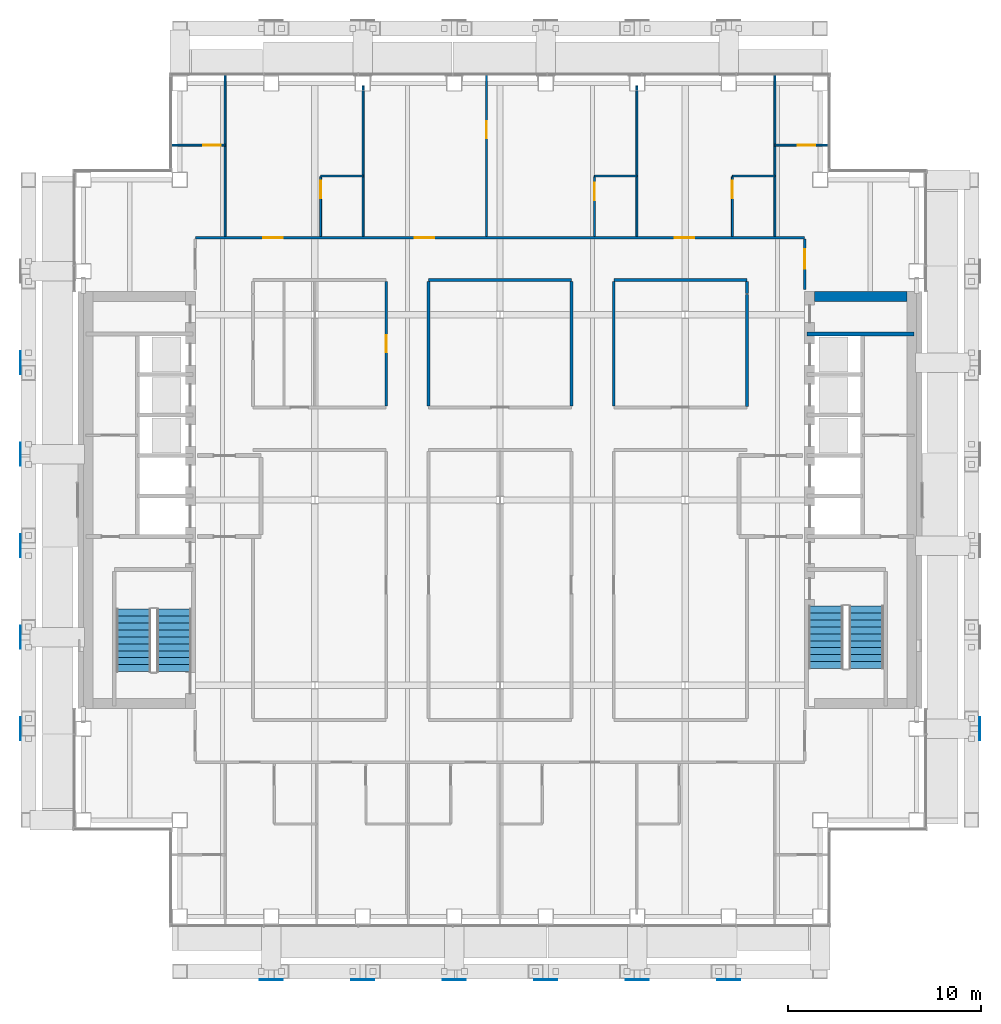
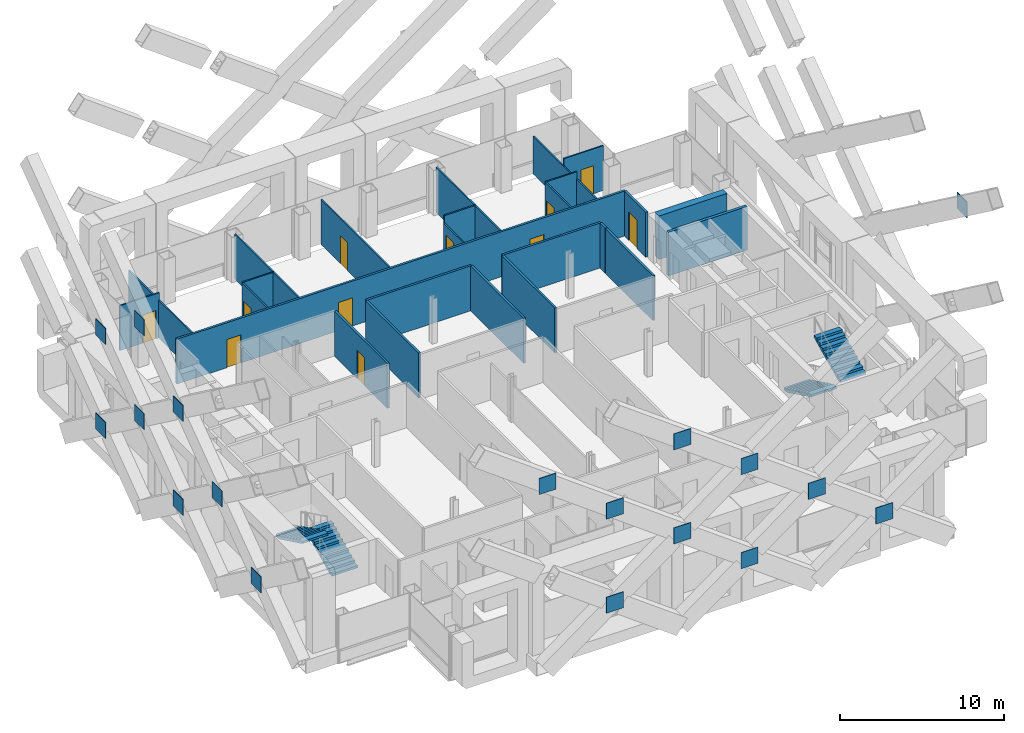
# One storey, part 16 of 25: 25 walls, 18 discrete accessories, 11 doors, 4 stair flights, 11 openings, 2 elements without a shape of their own.
"""IFC4 building model written with IfcOpenShell, lengths in metres."""

from ifc_helpers import new_model, si_unit, direction, frame, frame_2d, origin, origin_2d, place, context, subcontext, project, spatial, polyline, rectangle, outline, extrude, material, layer, layer_set, type_object, element, fill, aggregate, save


model = new_model("IFC4")

# Units and contexts
model_context = context("Model", 3, precision=1e-05, world=origin(), true_north=direction((0.0, 1.0)))
body_context = subcontext(model_context, "Body", "Model", "MODEL_VIEW")
ifc_project = project(units=[si_unit("LENGTHUNIT", "METRE"), si_unit("AREAUNIT", "SQUARE_METRE"), si_unit("VOLUMEUNIT", "CUBIC_METRE"), si_unit("PLANEANGLEUNIT", "RADIAN"), si_unit("MASSUNIT", "GRAM", prefix="KILO")], contexts=[model_context])

# Site, building, storey
site_placement = place(None, origin())
site = spatial("IfcSite", under=ifc_project, at=site_placement, CompositionType="ELEMENT")
building_placement = place(site_placement, origin())
building = spatial("IfcBuilding", under=site, at=building_placement, Name="Cobrizo Arcos Hotel Tower", CompositionType="ELEMENT")
storey_placement = place(building_placement, frame((0.0, 0.0, 148.0)))
storey = spatial("IfcBuildingStorey", under=building, at=storey_placement, Name="L37", CompositionType="ELEMENT", Elevation=148.0)

# Walls
ifc_material_1 = material(Name="Gypsum board partition")
ifc_layer_1 = layer(ifc_material_1, 0.14990234375)
ifc_layer_set_1 = layer_set([ifc_layer_1], Name="Corridor wall EI 60 150")
wall_type_1 = type_object("IfcWallType", Name="Corridor wall EI 60 150", PredefinedType="PARTITIONING", material=ifc_layer_set_1)
wall_1_placement = place(storey_placement, frame((-3.699951171875, 11.39990234375, 0.0), z_axis=(0.0, 0.0, 1.0), x_axis=(1.0, 0.0, 0.0)))
element("IfcWall", 1, at=wall_1_placement, inside=storey, type_object=wall_type_1, Name="Partition 038", PredefinedType="PARTITIONING", context=body_context, shape_type="SweptSolid", body=[
    extrude(rectangle(XDim=7.39990234375, YDim=0.14990234375, at=frame_2d((3.699951171875, 0.0))), origin(), (0.0, 0.0, 1.0), 3.35009765625),
])
wall_2_placement = place(storey_placement, frame((5.89990234375, 11.39990234375, 0.0), z_axis=(0.0, 0.0, 1.0), x_axis=(1.0, 0.0, 0.0)))
element("IfcWall", 2, at=wall_2_placement, inside=storey, type_object=wall_type_1, Name="Partition 039", PredefinedType="PARTITIONING", context=body_context, shape_type="SweptSolid", body=[
    extrude(rectangle(XDim=6.900146484375, YDim=0.14990234375, at=frame_2d((3.4501953125, 0.0))), origin(), (0.0, 0.0, 1.0), 3.35009765625),
])

# Wall, openings, doors
wall_3_placement = place(storey_placement, frame((-15.800048828125, 13.60009765625, 0.0), z_axis=(0.0, 0.0, 1.0), x_axis=(1.0, 0.0, 0.0)))
wall_3 = element("IfcWall", 3, at=wall_3_placement, inside=storey, type_object=wall_type_1, Name="Partition 040", PredefinedType="PARTITIONING", context=body_context, shape_type="SweptSolid", body=[
    extrude(rectangle(XDim=31.60009765625, YDim=0.14990234375, at=frame_2d((15.800048828125, 0.0))), origin(), (0.0, 0.0, 1.0), 3.35009765625),
])
opening_1_placement = place(wall_3_placement, frame((3.529052734375, 0.0, 0.0)))
opening_1 = element("IfcOpeningElement", 4, at=opening_1_placement, cuts=wall_3, Name="Opening GD-01", PredefinedType="OPENING", context=body_context, shape_type="SweptSolid", body=[
    extrude(rectangle(XDim=1.0, YDim=2.10009765625, at=frame_2d((0.5, 1.050048828125))), frame((0.0, 0.0869140625, 0.0), z_axis=(0.0, -1.0, 0.0), x_axis=(1.0, 0.0, 0.0)), (0.0, 0.0, 1.0), 0.173828125),
])
opening_2_placement = place(wall_3_placement, frame((11.387939453125, 0.0, 0.0)))
opening_2 = element("IfcOpeningElement", 5, at=opening_2_placement, cuts=wall_3, Name="Opening GD-02", PredefinedType="OPENING", context=body_context, shape_type="SweptSolid", body=[
    extrude(rectangle(XDim=1.0, YDim=2.10009765625, at=frame_2d((0.5, 1.050048828125))), frame((0.0, 0.0869140625, 0.0), z_axis=(0.0, -1.0, 0.0), x_axis=(1.0, 0.0, 0.0)), (0.0, 0.0, 1.0), 0.173828125),
])
opening_3_placement = place(wall_3_placement, frame((24.8720703125, 0.0, 0.0)))
opening_3 = element("IfcOpeningElement", 6, at=opening_3_placement, cuts=wall_3, Name="Opening GD-03", PredefinedType="OPENING", context=body_context, shape_type="SweptSolid", body=[
    extrude(rectangle(XDim=1.0, YDim=2.10009765625, at=frame_2d((0.5, 1.050048828125))), frame((0.0, 0.0869140625, 0.0), z_axis=(0.0, -1.0, 0.0), x_axis=(1.0, 0.0, 0.0)), (0.0, 0.0, 1.0), 0.173828125),
])
ifc_material_2 = material(Name="Timber door leaf", Category="wood")
door_type_1 = type_object("IfcDoorType", Name="Guest room door FD30S 1000x2100", OperationType="SINGLE_SWING_LEFT", PredefinedType="DOOR", material=ifc_material_2)
door_1_placement = place(opening_1_placement, origin())
door_1 = element("IfcDoor", 7, at=door_1_placement, inside=storey, type_object=door_type_1, Name="Door GD-01", OperationType="SINGLE_SWING_LEFT", OverallHeight=2.10009765625, OverallWidth=1.0, PredefinedType="DOOR", context=body_context, shape_type="SweptSolid", body=[
    extrude(rectangle(XDim=1.0, YDim=2.10009765625, at=frame_2d((0.5, 1.050048828125))), frame((0.0, 0.02490234375, 0.0), z_axis=(0.0, -1.0, 0.0), x_axis=(1.0, 0.0, 0.0)), (0.0, 0.0, 1.0), 0.050048828125),
])
fill(opening_1, door_1)
door_2_placement = place(opening_2_placement, origin())
door_2 = element("IfcDoor", 8, at=door_2_placement, inside=storey, type_object=door_type_1, Name="Door GD-02", OperationType="SINGLE_SWING_LEFT", OverallHeight=2.10009765625, OverallWidth=1.0, PredefinedType="DOOR", context=body_context, shape_type="SweptSolid", body=[
    extrude(rectangle(XDim=1.0, YDim=2.10009765625, at=frame_2d((0.5, 1.050048828125))), frame((0.0, 0.02490234375, 0.0), z_axis=(0.0, -1.0, 0.0), x_axis=(1.0, 0.0, 0.0)), (0.0, 0.0, 1.0), 0.050048828125),
])
fill(opening_2, door_2)
door_3_placement = place(opening_3_placement, origin())
door_3 = element("IfcDoor", 9, at=door_3_placement, inside=storey, type_object=door_type_1, Name="Door GD-03", OperationType="SINGLE_SWING_LEFT", OverallHeight=2.10009765625, OverallWidth=1.0, PredefinedType="DOOR", context=body_context, shape_type="SweptSolid", body=[
    extrude(rectangle(XDim=1.0, YDim=2.10009765625, at=frame_2d((0.5, 1.050048828125))), frame((0.0, 0.02490234375, 0.0), z_axis=(0.0, -1.0, 0.0), x_axis=(1.0, 0.0, 0.0)), (0.0, 0.0, 1.0), 0.050048828125),
])
fill(opening_3, door_3)

# Wall, opening, door
wall_4_placement = place(storey_placement, frame((-5.89990234375, 4.875, 0.0), z_axis=(0.0, 0.0, 1.0), x_axis=(0.0, 1.0, 0.0)))
wall_4 = element("IfcWall", 10, at=wall_4_placement, inside=storey, type_object=wall_type_1, Name="Partition 067", PredefinedType="PARTITIONING", context=body_context, shape_type="SweptSolid", body=[
    extrude(rectangle(XDim=6.449951171875, YDim=0.14990234375, at=frame_2d((3.22509765625, 0.0))), origin(), (0.0, 0.0, 1.0), 3.35009765625),
])
opening_4_placement = place(wall_4_placement, frame((2.77490234375, 0.0, 0.0)))
opening_4 = element("IfcOpeningElement", 11, at=opening_4_placement, cuts=wall_4, Name="Opening RD-08", PredefinedType="OPENING", context=body_context, shape_type="SweptSolid", body=[
    extrude(rectangle(XDim=0.89990234375, YDim=2.10009765625, at=frame_2d((0.449951171875, 1.050048828125))), frame((0.0, 0.0869140625, 0.0), z_axis=(0.0, -1.0, 0.0), x_axis=(1.0, 0.0, 0.0)), (0.0, 0.0, 1.0), 0.173828125),
])
door_type_2 = type_object("IfcDoorType", Name="Room door FD30 900x2100", OperationType="SINGLE_SWING_LEFT", PredefinedType="DOOR", material=ifc_material_2)
door_4_placement = place(opening_4_placement, origin())
door_4 = element("IfcDoor", 12, at=door_4_placement, inside=storey, type_object=door_type_2, Name="Door RD-08", OperationType="SINGLE_SWING_LEFT", OverallHeight=2.10009765625, OverallWidth=0.89990234375, PredefinedType="DOOR", context=body_context, shape_type="SweptSolid", body=[
    extrude(rectangle(XDim=0.89990234375, YDim=2.10009765625, at=frame_2d((0.449951171875, 1.050048828125))), frame((0.0, 0.02490234375, 0.0), z_axis=(0.0, -1.0, 0.0), x_axis=(1.0, 0.0, 0.0)), (0.0, 0.0, 1.0), 0.050048828125),
])
fill(opening_4, door_4)

# Walls
for number, where, z_axis, x_axis, name in (
    (13, (-3.699951171875, 4.875, 0.0), (0.0, 0.0, 1.0), (0.0, 1.0, 0.0), "Partition 071"),
    (14, (3.699951171875, 4.875, 0.0), (0.0, 0.0, 1.0), (0.0, 1.0, 0.0), "Partition 082"),
    (15, (5.89990234375, 4.875, 0.0), (0.0, 0.0, 1.0), (0.0, 1.0, 0.0), "Partition 085"),
):
    element("IfcWall", number, at=place(storey_placement, frame(where, z_axis=z_axis, x_axis=x_axis)), inside=storey, type_object=wall_type_1, Name=name, PredefinedType="PARTITIONING", context=body_context, shape_type="SweptSolid", body=[
        extrude(rectangle(XDim=6.449951171875, YDim=0.14990234375, at=frame_2d((3.22509765625, 0.0))), origin(), (0.0, 0.0, 1.0), 3.35009765625),
    ])
wall_5_placement = place(storey_placement, frame((12.800048828125, 4.85009765625, 0.0), z_axis=(0.0, 0.0, 1.0), x_axis=(0.0, 1.0, 0.0)))
element("IfcWall", 16, at=wall_5_placement, inside=storey, type_object=wall_type_1, Name="Partition 092", PredefinedType="PARTITIONING", context=body_context, shape_type="SweptSolid", body=[
    extrude(rectangle(XDim=5.7998046875, YDim=0.14990234375, at=frame_2d((2.89990234375, 0.0))), origin(), (0.0, 0.0, 1.0), 3.35009765625),
])
wall_6_placement = place(storey_placement, frame((12.800048828125, 10.699951171875, 0.0), z_axis=(0.0, 0.0, 1.0), x_axis=(0.0, 1.0, 0.0)))
element("IfcWall", 17, at=wall_6_placement, inside=storey, type_object=wall_type_1, Name="Partition 093", PredefinedType="PARTITIONING", context=body_context, shape_type="SweptSolid", body=[
    extrude(rectangle(XDim=0.625, YDim=0.14990234375, at=frame_2d((0.3125, 0.0))), origin(), (0.0, 0.0, 1.0), 3.35009765625),
])

# Wall, opening, door
wall_7_placement = place(storey_placement, frame((15.800048828125, 10.919921875, 0.0), z_axis=(0.0, 0.0, 1.0), x_axis=(0.0, 1.0, 0.0)))
wall_7 = element("IfcWall", 18, at=wall_7_placement, inside=storey, type_object=wall_type_1, Name="Partition 097", PredefinedType="PARTITIONING", context=body_context, shape_type="SweptSolid", body=[
    extrude(rectangle(XDim=2.60498046875, YDim=0.14990234375, at=frame_2d((1.302490234375, 0.0))), origin(), (0.0, 0.0, 1.0), 3.35009765625),
])
opening_5_placement = place(wall_7_placement, frame((1.080078125, 0.0, 0.0)))
opening_5 = element("IfcOpeningElement", 19, at=opening_5_placement, cuts=wall_7, Name="Opening GD-12", PredefinedType="OPENING", context=body_context, shape_type="SweptSolid", body=[
    extrude(rectangle(XDim=1.0, YDim=2.10009765625, at=frame_2d((0.5, 1.050048828125))), frame((0.0, 0.0869140625, 0.0), z_axis=(0.0, -1.0, 0.0), x_axis=(1.0, 0.0, 0.0)), (0.0, 0.0, 1.0), 0.173828125),
])
door_5_placement = place(opening_5_placement, origin())
door_5 = element("IfcDoor", 20, at=door_5_placement, inside=storey, type_object=door_type_1, Name="Door GD-12", OperationType="SINGLE_SWING_RIGHT", OverallHeight=2.10009765625, OverallWidth=1.0, PredefinedType="DOOR", context=body_context, shape_type="SweptSolid", body=[
    extrude(rectangle(XDim=1.0, YDim=2.10009765625, at=frame_2d((0.5, 1.050048828125))), frame((0.0, 0.02490234375, 0.0), z_axis=(0.0, -1.0, 0.0), x_axis=(1.0, 0.0, 0.0)), (0.0, 0.0, 1.0), 0.050048828125),
])
fill(opening_5, door_5)

# Walls
ifc_layer_2 = layer(ifc_material_1, 0.10009765625)
ifc_layer_set_2 = layer_set([ifc_layer_2], Name="Partition EI 30 100")
wall_type_2 = type_object("IfcWallType", Name="Partition EI 30 100", PredefinedType="PARTITIONING", material=ifc_layer_set_2)
wall_8_placement = place(storey_placement, frame((-9.300048828125, 16.800048828125, 0.0), z_axis=(0.0, 0.0, 1.0), x_axis=(1.0, 0.0, 0.0)))
element("IfcWall", 21, at=wall_8_placement, inside=storey, type_object=wall_type_2, Name="Partition 041", PredefinedType="PARTITIONING", context=body_context, shape_type="SweptSolid", body=[
    extrude(rectangle(XDim=2.199951171875, YDim=0.10009765625, at=frame_2d((1.10009765625, 0.0))), origin(), (0.0, 0.0, 1.0), 3.35009765625),
])
wall_9_placement = place(storey_placement, frame((4.89990234375, 16.800048828125, 0.0), z_axis=(0.0, 0.0, 1.0), x_axis=(1.0, 0.0, 0.0)))
element("IfcWall", 22, at=wall_9_placement, inside=storey, type_object=wall_type_2, Name="Partition 042", PredefinedType="PARTITIONING", context=body_context, shape_type="SweptSolid", body=[
    extrude(rectangle(XDim=2.2001953125, YDim=0.10009765625, at=frame_2d((1.10009765625, 0.0))), origin(), (0.0, 0.0, 1.0), 3.35009765625),
])
wall_10_placement = place(storey_placement, frame((12.050048828125, 16.800048828125, 0.0), z_axis=(0.0, 0.0, 1.0), x_axis=(1.0, 0.0, 0.0)))
element("IfcWall", 23, at=wall_10_placement, inside=storey, type_object=wall_type_2, Name="Partition 043", PredefinedType="PARTITIONING", context=body_context, shape_type="SweptSolid", body=[
    extrude(rectangle(XDim=2.199951171875, YDim=0.10009765625, at=frame_2d((1.10009765625, 0.0))), origin(), (0.0, 0.0, 1.0), 3.35009765625),
])

# Wall, opening, door
wall_11_placement = place(storey_placement, frame((-17.030029296875, 18.39990234375, 0.0), z_axis=(0.0, 0.0, 1.0), x_axis=(1.0, 0.0, 0.0)))
wall_11 = element("IfcWall", 24, at=wall_11_placement, inside=storey, type_object=wall_type_2, Name="Partition 044", PredefinedType="PARTITIONING", context=body_context, shape_type="SweptSolid", body=[
    extrude(rectangle(XDim=2.780029296875, YDim=0.10009765625, at=frame_2d((1.39013671875, 0.0))), origin(), (0.0, 0.0, 1.0), 3.35009765625),
])
opening_6_placement = place(wall_11_placement, frame((1.639892578125, 0.0, 0.0)))
opening_6 = element("IfcOpeningElement", 25, at=opening_6_placement, cuts=wall_11, Name="Opening ED-10", PredefinedType="OPENING", context=body_context, shape_type="SweptSolid", body=[
    extrude(rectangle(XDim=0.89990234375, YDim=2.10009765625, at=frame_2d((0.449951171875, 1.050048828125))), frame((0.0, 0.06201171875, 0.0), z_axis=(0.0, -1.0, 0.0), x_axis=(1.0, 0.0, 0.0)), (0.0, 0.0, 1.0), 0.1240234375),
])
door_type_3 = type_object("IfcDoorType", Name="En-suite door 900x2100", OperationType="SINGLE_SWING_LEFT", PredefinedType="DOOR", material=ifc_material_2)
door_6_placement = place(opening_6_placement, origin())
door_6 = element("IfcDoor", 26, at=door_6_placement, inside=storey, type_object=door_type_3, Name="Door ED-10", OperationType="SINGLE_SWING_RIGHT", OverallHeight=2.10009765625, OverallWidth=0.89990234375, PredefinedType="DOOR", context=body_context, shape_type="SweptSolid", body=[
    extrude(rectangle(XDim=0.89990234375, YDim=2.10009765625, at=frame_2d((0.449951171875, 1.050048828125))), frame((0.0, 0.02490234375, 0.0), z_axis=(0.0, -1.0, 0.0), x_axis=(1.0, 0.0, 0.0)), (0.0, 0.0, 1.0), 0.050048828125),
])
fill(opening_6, door_6)

wall_12_placement = place(storey_placement, frame((14.25, 18.39990234375, 0.0), z_axis=(0.0, 0.0, 1.0), x_axis=(1.0, 0.0, 0.0)))
wall_12 = element("IfcWall", 27, at=wall_12_placement, inside=storey, type_object=wall_type_2, Name="Partition 045", PredefinedType="PARTITIONING", context=body_context, shape_type="SweptSolid", body=[
    extrude(rectangle(XDim=2.780029296875, YDim=0.10009765625, at=frame_2d((1.39013671875, 0.0))), origin(), (0.0, 0.0, 1.0), 3.35009765625),
])
opening_7_placement = place(wall_12_placement, frame((1.18896484375, 0.0, 0.0)))
opening_7 = element("IfcOpeningElement", 28, at=opening_7_placement, cuts=wall_12, Name="Opening ED-12", PredefinedType="OPENING", context=body_context, shape_type="SweptSolid", body=[
    extrude(rectangle(XDim=0.89990234375, YDim=2.10009765625, at=frame_2d((0.449951171875, 1.050048828125))), frame((0.0, 0.06201171875, 0.0), z_axis=(0.0, -1.0, 0.0), x_axis=(1.0, 0.0, 0.0)), (0.0, 0.0, 1.0), 0.1240234375),
])
door_7_placement = place(opening_7_placement, origin())
door_7 = element("IfcDoor", 29, at=door_7_placement, inside=storey, type_object=door_type_3, Name="Door ED-12", OperationType="SINGLE_SWING_LEFT", OverallHeight=2.10009765625, OverallWidth=0.89990234375, PredefinedType="DOOR", context=body_context, shape_type="SweptSolid", body=[
    extrude(rectangle(XDim=0.89990234375, YDim=2.10009765625, at=frame_2d((0.449951171875, 1.050048828125))), frame((0.0, 0.02490234375, 0.0), z_axis=(0.0, -1.0, 0.0), x_axis=(1.0, 0.0, 0.0)), (0.0, 0.0, 1.0), 0.050048828125),
])
fill(opening_7, door_7)

# Wall
wall_13_placement = place(storey_placement, frame((-14.25, 13.675048828125, 0.0), z_axis=(0.0, 0.0, 1.0), x_axis=(0.0, 1.0, 0.0)))
element("IfcWall", 30, at=wall_13_placement, inside=storey, type_object=wall_type_2, Name="Partition 052", PredefinedType="PARTITIONING", context=body_context, shape_type="SweptSolid", body=[
    extrude(rectangle(XDim=8.35498046875, YDim=0.10009765625, at=frame_2d((4.177490234375, 0.0))), origin(), (0.0, 0.0, 1.0), 2.81689453125),
])

# Wall, opening, door
wall_14_placement = place(storey_placement, frame((-9.300048828125, 13.675048828125, 0.0), z_axis=(0.0, 0.0, 1.0), x_axis=(0.0, 1.0, 0.0)))
wall_14 = element("IfcWall", 31, at=wall_14_placement, inside=storey, type_object=wall_type_2, Name="Partition 063", PredefinedType="PARTITIONING", context=body_context, shape_type="SweptSolid", body=[
    extrude(rectangle(XDim=3.074951171875, YDim=0.10009765625, at=frame_2d((1.53759765625, 0.0))), origin(), (0.0, 0.0, 1.0), 3.35009765625),
])
opening_8_placement = place(wall_14_placement, frame((1.970947265625, 0.0, 0.0)))
opening_8 = element("IfcOpeningElement", 32, at=opening_8_placement, cuts=wall_14, Name="Opening ED-01", PredefinedType="OPENING", context=body_context, shape_type="SweptSolid", body=[
    extrude(rectangle(XDim=0.89990234375, YDim=2.10009765625, at=frame_2d((0.449951171875, 1.050048828125))), frame((0.0, 0.06201171875, 0.0), z_axis=(0.0, -1.0, 0.0), x_axis=(1.0, 0.0, 0.0)), (0.0, 0.0, 1.0), 0.1240234375),
])
door_8_placement = place(opening_8_placement, origin())
door_8 = element("IfcDoor", 33, at=door_8_placement, inside=storey, type_object=door_type_3, Name="Door ED-01", OperationType="SINGLE_SWING_RIGHT", OverallHeight=2.10009765625, OverallWidth=0.89990234375, PredefinedType="DOOR", context=body_context, shape_type="SweptSolid", body=[
    extrude(rectangle(XDim=0.89990234375, YDim=2.10009765625, at=frame_2d((0.449951171875, 1.050048828125))), frame((0.0, 0.02490234375, 0.0), z_axis=(0.0, -1.0, 0.0), x_axis=(1.0, 0.0, 0.0)), (0.0, 0.0, 1.0), 0.050048828125),
])
fill(opening_8, door_8)

# Wall
wall_15_placement = place(storey_placement, frame((-7.10009765625, 13.675048828125, 0.0), z_axis=(0.0, 0.0, 1.0), x_axis=(0.0, 1.0, 0.0)))
element("IfcWall", 34, at=wall_15_placement, inside=storey, type_object=wall_type_2, Name="Partition 064", PredefinedType="PARTITIONING", context=body_context, shape_type="SweptSolid", body=[
    extrude(rectangle(XDim=7.804931640625, YDim=0.10009765625, at=frame_2d((3.90234375, 0.0))), origin(), (0.0, 0.0, 1.0), 3.35009765625),
])

# Wall, opening, door
wall_16_placement = place(storey_placement, frame((-0.699951171875, 13.675048828125, 0.0), z_axis=(0.0, 0.0, 1.0), x_axis=(0.0, 1.0, 0.0)))
wall_16 = element("IfcWall", 35, at=wall_16_placement, inside=storey, type_object=wall_type_2, Name="Partition 073", PredefinedType="PARTITIONING", context=body_context, shape_type="SweptSolid", body=[
    extrude(rectangle(XDim=8.35498046875, YDim=0.10009765625, at=frame_2d((4.177490234375, 0.0))), origin(), (0.0, 0.0, 1.0), 3.35009765625),
])
opening_9_placement = place(wall_16_placement, frame((5.074951171875, 0.0, 0.0)))
opening_9 = element("IfcOpeningElement", 36, at=opening_9_placement, cuts=wall_16, Name="Opening RD-07", PredefinedType="OPENING", context=body_context, shape_type="SweptSolid", body=[
    extrude(rectangle(XDim=0.89990234375, YDim=2.10009765625, at=frame_2d((0.449951171875, 1.050048828125))), frame((0.0, 0.06201171875, 0.0), z_axis=(0.0, -1.0, 0.0), x_axis=(1.0, 0.0, 0.0)), (0.0, 0.0, 1.0), 0.1240234375),
])
door_9_placement = place(opening_9_placement, origin())
door_9 = element("IfcDoor", 37, at=door_9_placement, inside=storey, type_object=door_type_2, Name="Door RD-07", OperationType="SINGLE_SWING_LEFT", OverallHeight=2.10009765625, OverallWidth=0.89990234375, PredefinedType="DOOR", context=body_context, shape_type="SweptSolid", body=[
    extrude(rectangle(XDim=0.89990234375, YDim=2.10009765625, at=frame_2d((0.449951171875, 1.050048828125))), frame((0.0, 0.02490234375, 0.0), z_axis=(0.0, -1.0, 0.0), x_axis=(1.0, 0.0, 0.0)), (0.0, 0.0, 1.0), 0.050048828125),
])
fill(opening_9, door_9)

wall_17_placement = place(storey_placement, frame((4.89990234375, 13.675048828125, 0.0), z_axis=(0.0, 0.0, 1.0), x_axis=(0.0, 1.0, 0.0)))
wall_17 = element("IfcWall", 38, at=wall_17_placement, inside=storey, type_object=wall_type_2, Name="Partition 083", PredefinedType="PARTITIONING", context=body_context, shape_type="SweptSolid", body=[
    extrude(rectangle(XDim=3.074951171875, YDim=0.10009765625, at=frame_2d((1.53759765625, 0.0))), origin(), (0.0, 0.0, 1.0), 2.81689453125),
])
opening_10_placement = place(wall_17_placement, frame((1.875, 0.0, 0.0)))
opening_10 = element("IfcOpeningElement", 39, at=opening_10_placement, cuts=wall_17, Name="Opening ED-02", PredefinedType="OPENING", context=body_context, shape_type="SweptSolid", body=[
    extrude(rectangle(XDim=0.89990234375, YDim=2.10009765625, at=frame_2d((0.449951171875, 1.050048828125))), frame((0.0, 0.06201171875, 0.0), z_axis=(0.0, -1.0, 0.0), x_axis=(1.0, 0.0, 0.0)), (0.0, 0.0, 1.0), 0.1240234375),
])
door_10_placement = place(opening_10_placement, origin())
door_10 = element("IfcDoor", 40, at=door_10_placement, inside=storey, type_object=door_type_3, Name="Door ED-02", OperationType="SINGLE_SWING_RIGHT", OverallHeight=2.10009765625, OverallWidth=0.89990234375, PredefinedType="DOOR", context=body_context, shape_type="SweptSolid", body=[
    extrude(rectangle(XDim=0.89990234375, YDim=2.10009765625, at=frame_2d((0.449951171875, 1.050048828125))), frame((0.0, 0.02490234375, 0.0), z_axis=(0.0, -1.0, 0.0), x_axis=(1.0, 0.0, 0.0)), (0.0, 0.0, 1.0), 0.050048828125),
])
fill(opening_10, door_10)

# Wall
wall_18_placement = place(storey_placement, frame((7.10009765625, 13.675048828125, 0.0), z_axis=(0.0, 0.0, 1.0), x_axis=(0.0, 1.0, 0.0)))
element("IfcWall", 41, at=wall_18_placement, inside=storey, type_object=wall_type_2, Name="Partition 087", PredefinedType="PARTITIONING", context=body_context, shape_type="SweptSolid", body=[
    extrude(rectangle(XDim=7.804931640625, YDim=0.10009765625, at=frame_2d((3.90234375, 0.0))), origin(), (0.0, 0.0, 1.0), 3.35009765625),
])

# Wall, opening, door
wall_19_placement = place(storey_placement, frame((12.050048828125, 13.675048828125, 0.0), z_axis=(0.0, 0.0, 1.0), x_axis=(0.0, 1.0, 0.0)))
wall_19 = element("IfcWall", 42, at=wall_19_placement, inside=storey, type_object=wall_type_2, Name="Partition 089", PredefinedType="PARTITIONING", context=body_context, shape_type="SweptSolid", body=[
    extrude(rectangle(XDim=3.074951171875, YDim=0.10009765625, at=frame_2d((1.53759765625, 0.0))), origin(), (0.0, 0.0, 1.0), 3.35009765625),
])
opening_11_placement = place(wall_19_placement, frame((1.970947265625, 0.0, 0.0)))
opening_11 = element("IfcOpeningElement", 43, at=opening_11_placement, cuts=wall_19, Name="Opening ED-03", PredefinedType="OPENING", context=body_context, shape_type="SweptSolid", body=[
    extrude(rectangle(XDim=0.89990234375, YDim=2.10009765625, at=frame_2d((0.449951171875, 1.050048828125))), frame((0.0, 0.06201171875, 0.0), z_axis=(0.0, -1.0, 0.0), x_axis=(1.0, 0.0, 0.0)), (0.0, 0.0, 1.0), 0.1240234375),
])
door_11_placement = place(opening_11_placement, origin())
door_11 = element("IfcDoor", 44, at=door_11_placement, inside=storey, type_object=door_type_3, Name="Door ED-03", OperationType="SINGLE_SWING_LEFT", OverallHeight=2.10009765625, OverallWidth=0.89990234375, PredefinedType="DOOR", context=body_context, shape_type="SweptSolid", body=[
    extrude(rectangle(XDim=0.89990234375, YDim=2.10009765625, at=frame_2d((0.449951171875, 1.050048828125))), frame((0.0, 0.02490234375, 0.0), z_axis=(0.0, -1.0, 0.0), x_axis=(1.0, 0.0, 0.0)), (0.0, 0.0, 1.0), 0.050048828125),
])
fill(opening_11, door_11)

# Walls
wall_20_placement = place(storey_placement, frame((14.25, 13.675048828125, 0.0), z_axis=(0.0, 0.0, 1.0), x_axis=(0.0, 1.0, 0.0)))
element("IfcWall", 45, at=wall_20_placement, inside=storey, type_object=wall_type_2, Name="Partition 095", PredefinedType="PARTITIONING", context=body_context, shape_type="SweptSolid", body=[
    extrude(rectangle(XDim=8.35498046875, YDim=0.10009765625, at=frame_2d((4.177490234375, 0.0))), origin(), (0.0, 0.0, 1.0), 2.81689453125),
])
ifc_material_3 = material(Name="Concrete f'c 50 MPa", Category="concrete")
ifc_layer_3 = layer(ifc_material_3, 0.5)
ifc_layer_set_3 = layer_set([ifc_layer_3], Name="RC core wall 500 f'c 50")
wall_type_3 = type_object("IfcWallType", Name="RC core wall 500 f'c 50", PredefinedType="SHEAR", material=ifc_layer_set_3)
wall_21_placement = place(storey_placement, frame((16.300048828125, 10.550048828125, 0.0), z_axis=(0.0, 0.0, 1.0), x_axis=(1.0, 0.0, 0.0)))
element("IfcWall", 46, at=wall_21_placement, inside=storey, type_object=wall_type_3, Name="Core wall CW3, east core, north end, L37", PredefinedType="SHEAR", context=body_context, shape_type="SweptSolid", body=[
    extrude(rectangle(XDim=4.800048828125, YDim=0.5, at=frame_2d((2.39990234375, 0.0))), origin(), (0.0, 0.0, 1.0), 3.25),
])
ifc_layer_4 = layer(ifc_material_1, 0.199951171875)
ifc_layer_set_4 = layer_set([ifc_layer_4], Name="Shaft wall EI 120 200")
wall_type_4 = type_object("IfcWallType", Name="Shaft wall EI 120 200", PredefinedType="PARTITIONING", material=ifc_layer_set_4)
wall_22_placement = place(storey_placement, frame((15.919921875, 8.60009765625, 0.0), z_axis=(0.0, 0.0, 1.0), x_axis=(1.0, 0.0, 0.0)))
element("IfcWall", 47, at=wall_22_placement, inside=storey, type_object=wall_type_4, Name="Partition 036", PredefinedType="PARTITIONING", context=body_context, shape_type="SweptSolid", body=[
    extrude(rectangle(XDim=5.56005859375, YDim=0.199951171875, at=frame_2d((2.780029296875, 0.0))), origin(), (0.0, 0.0, 1.0), 3.25),
])

# Stair, stair flights
ifc_material_4 = material(Name="Concrete f'c 40 MPa", Category="concrete")
stair_type = type_object("IfcStairType", Name="Exit stair", PredefinedType="HALF_TURN_STAIR", material=ifc_material_4)
stair_1_placement = place(storey_placement, origin())
stair_1 = element("IfcStair", 48, at=stair_1_placement, inside=storey, type_object=stair_type, Name="L37 Exit stair ST-W", PredefinedType="HALF_TURN_STAIR")
stair_flight_type = type_object("IfcStairFlightType", Name="Exit stair flight", PredefinedType="STRAIGHT", material=ifc_material_4)
stair_flight_1_placement = place(storey_placement, frame((-16.89990234375, -8.89990234375, 0.0), z_axis=(0.0, 0.0, 1.0), x_axis=(0.0, 1.0, 0.0)))
stair_flight_1 = element("IfcStairFlight", 49, at=stair_flight_1_placement, type_object=stair_flight_type, Name="ST-W flight 1", NumberOfRisers=10, NumberOfTreads=9, PredefinedType="STRAIGHT", RiserHeight=0.175, TreadLength=0.36, context=body_context, shape_type="SweptSolid", body=[
    extrude(outline(polyline([(0.0, 0.0), (0.0, 0.175048828125), (0.360107421875, 0.175048828125), (0.360107421875, 0.35009765625), (0.719970703125, 0.35009765625), (0.719970703125, 0.52490234375), (1.080078125, 0.52490234375), (1.080078125, 0.699951171875), (1.43994140625, 0.699951171875), (1.43994140625, 0.875), (1.800048828125, 0.875), (1.800048828125, 1.050048828125), (2.159912109375, 1.050048828125), (2.159912109375, 1.22509765625), (2.52001953125, 1.22509765625), (2.52001953125, 1.39990234375), (2.8798828125, 1.39990234375), (2.8798828125, 1.574951171875), (3.239990234375, 1.574951171875), (3.239990234375, 1.75), (3.239990234375, 1.408203125), (0.3427734375, 0.0), (0.0, 0.0)])), frame((0.0, 0.89990234375, 0.0), z_axis=(0.0, -1.0, 0.0), x_axis=(1.0, 0.0, 0.0)), (0.0, 0.0, 1.0), 1.800048828125),
])
stair_flight_2_placement = place(storey_placement, frame((-19.0, -5.659912109375, 1.75), z_axis=(0.0, 0.0, 1.0), x_axis=(0.0, -1.0, 0.0)))
stair_flight_2 = element("IfcStairFlight", 50, at=stair_flight_2_placement, type_object=stair_flight_type, Name="ST-W flight 2", NumberOfRisers=10, NumberOfTreads=9, PredefinedType="STRAIGHT", RiserHeight=0.175, TreadLength=0.36, context=body_context, shape_type="SweptSolid", body=[
    extrude(outline(polyline([(0.0, 0.0), (0.0, 0.175048828125), (0.360107421875, 0.175048828125), (0.360107421875, 0.35009765625), (0.719970703125, 0.35009765625), (0.719970703125, 0.52490234375), (1.080078125, 0.52490234375), (1.080078125, 0.699951171875), (1.43994140625, 0.699951171875), (1.43994140625, 0.875), (1.800048828125, 0.875), (1.800048828125, 1.050048828125), (2.159912109375, 1.050048828125), (2.159912109375, 1.22509765625), (2.52001953125, 1.22509765625), (2.52001953125, 1.39990234375), (2.8798828125, 1.39990234375), (2.8798828125, 1.574951171875), (3.239990234375, 1.574951171875), (3.239990234375, 1.75), (3.239990234375, 1.408203125), (0.3427734375, 0.0), (0.0, 0.0)])), frame((0.0, 0.89990234375, 0.0), z_axis=(0.0, -1.0, 0.0), x_axis=(1.0, 0.0, 0.0)), (0.0, 0.0, 1.0), 1.800048828125),
])
aggregate(stair_1, [stair_flight_1, stair_flight_2])

stair_2_placement = place(storey_placement, origin())
stair_2 = element("IfcStair", 51, at=stair_2_placement, inside=storey, type_object=stair_type, Name="L37 Exit stair ST-E", PredefinedType="HALF_TURN_STAIR")
stair_flight_3_placement = place(storey_placement, frame((16.89990234375, -5.5, 0.0), z_axis=(0.0, 0.0, 1.0), x_axis=(0.0, -1.0, 0.0)))
stair_flight_3 = element("IfcStairFlight", 52, at=stair_flight_3_placement, type_object=stair_flight_type, Name="ST-E flight 1", NumberOfRisers=10, NumberOfTreads=9, PredefinedType="STRAIGHT", RiserHeight=0.175, TreadLength=0.36, context=body_context, shape_type="SweptSolid", body=[
    extrude(outline(polyline([(0.0, 0.0), (0.0, 0.175048828125), (0.360107421875, 0.175048828125), (0.360107421875, 0.35009765625), (0.719970703125, 0.35009765625), (0.719970703125, 0.52490234375), (1.080078125, 0.52490234375), (1.080078125, 0.699951171875), (1.43994140625, 0.699951171875), (1.43994140625, 0.875), (1.800048828125, 0.875), (1.800048828125, 1.050048828125), (2.159912109375, 1.050048828125), (2.159912109375, 1.22509765625), (2.52001953125, 1.22509765625), (2.52001953125, 1.39990234375), (2.8798828125, 1.39990234375), (2.8798828125, 1.574951171875), (3.239990234375, 1.574951171875), (3.239990234375, 1.75), (3.239990234375, 1.408203125), (0.3427734375, 0.0), (0.0, 0.0)])), frame((0.0, 0.89990234375, 0.0), z_axis=(0.0, -1.0, 0.0), x_axis=(1.0, 0.0, 0.0)), (0.0, 0.0, 1.0), 1.800048828125),
])
stair_flight_4_placement = place(storey_placement, frame((19.0, -8.739990234375, 1.75), z_axis=(0.0, 0.0, 1.0), x_axis=(0.0, 1.0, 0.0)))
stair_flight_4 = element("IfcStairFlight", 53, at=stair_flight_4_placement, type_object=stair_flight_type, Name="ST-E flight 2", NumberOfRisers=10, NumberOfTreads=9, PredefinedType="STRAIGHT", RiserHeight=0.175, TreadLength=0.36, context=body_context, shape_type="SweptSolid", body=[
    extrude(outline(polyline([(0.0, 0.0), (0.0, 0.175048828125), (0.360107421875, 0.175048828125), (0.360107421875, 0.35009765625), (0.719970703125, 0.35009765625), (0.719970703125, 0.52490234375), (1.080078125, 0.52490234375), (1.080078125, 0.699951171875), (1.43994140625, 0.699951171875), (1.43994140625, 0.875), (1.800048828125, 0.875), (1.800048828125, 1.050048828125), (2.159912109375, 1.050048828125), (2.159912109375, 1.22509765625), (2.52001953125, 1.22509765625), (2.52001953125, 1.39990234375), (2.8798828125, 1.39990234375), (2.8798828125, 1.574951171875), (3.239990234375, 1.574951171875), (3.239990234375, 1.75), (3.239990234375, 1.408203125), (0.3427734375, 0.0), (0.0, 0.0)])), frame((0.0, 0.89990234375, 0.0), z_axis=(0.0, -1.0, 0.0), x_axis=(1.0, 0.0, 0.0)), (0.0, 0.0, 1.0), 1.800048828125),
])
aggregate(stair_2, [stair_flight_3, stair_flight_4])

# Discrete accessories
ifc_material_5 = material(Name="Steel ASTM A572 Grade 50", Category="steel")
discrete_accessory_type = type_object("IfcDiscreteAccessoryType", Name="GP-1 gusset plate 1200x1200x40", PredefinedType="BRACKET", material=ifc_material_5)
discrete_accessory_placement = place(storey_placement, frame((24.8701171875, -11.857177734375, 13.89990234375), z_axis=(0.0, 0.0, 1.0), x_axis=(1.0, 0.0, 0.0)))
element("IfcDiscreteAccessory", 54, at=discrete_accessory_placement, inside=storey, type_object=discrete_accessory_type, Name="Gusset plate br-Z3-E-03", PredefinedType="BRACKET", context=body_context, shape_type="SweptSolid", body=[
    extrude(rectangle(XDim=0.0400390625, YDim=1.199951171875, at=origin_2d()), origin(), (0.0, 0.0, 1.0), 1.199951171875),
])
for number, where, z_axis, x_axis, name in (
    (55, (-7.1142578125, -24.8701171875, 3.39990234375), (0.0, 0.0, 1.0), (1.0, 0.0, 0.0), "Gusset plate br-Z3-S-00"),
    (56, (-2.371337890625, -24.8701171875, 6.89990234375), (0.0, 0.0, 1.0), (1.0, 0.0, 0.0), "Gusset plate br-Z3-S-03"),
    (57, (2.371337890625, -24.8701171875, 10.39990234375), (0.0, 0.0, 1.0), (1.0, 0.0, 0.0), "Gusset plate br-Z3-S-05"),
    (58, (2.371337890625, -24.8701171875, 3.39990234375), (0.0, 0.0, 1.0), (1.0, 0.0, 0.0), "Gusset plate br-Z3-S-03"),
    (59, (7.1142578125, -24.8701171875, 6.89990234375), (0.0, 0.0, 1.0), (1.0, 0.0, 0.0), "Gusset plate br-Z3-S-05"),
    (60, (-7.1142578125, -24.8701171875, 10.39990234375), (0.0, 0.0, 1.0), (1.0, 0.0, 0.0), "Gusset plate br-Z3-S-03"),
    (61, (-11.857177734375, -24.8701171875, 13.89990234375), (0.0, 0.0, 1.0), (1.0, 0.0, 0.0), "Gusset plate br-Z3-S-03"),
    (62, (11.857177734375, -24.8701171875, 3.39990234375), (0.0, 0.0, 1.0), (1.0, 0.0, 0.0), "Gusset plate br-Z3-S-05"),
    (63, (-2.371337890625, -24.8701171875, 13.89990234375), (0.0, 0.0, 1.0), (1.0, 0.0, 0.0), "Gusset plate br-Z3-S-05"),
):
    element("IfcDiscreteAccessory", number, at=place(storey_placement, frame(where, z_axis=z_axis, x_axis=x_axis)), inside=storey, type_object=discrete_accessory_type, Name=name, PredefinedType="BRACKET", context=body_context, shape_type="SweptSolid", body=[
        extrude(rectangle(XDim=1.199951171875, YDim=0.0400390625, at=origin_2d()), origin(), (0.0, 0.0, 1.0), 1.199951171875),
    ])
for number, where, z_axis, x_axis, name in (
    (64, (-24.8701171875, 7.1142578125, 3.39990234375), (0.0, 0.0, 1.0), (1.0, 0.0, 0.0), "Gusset plate br-Z3-W-00"),
    (65, (-24.8701171875, 2.371337890625, 6.89990234375), (0.0, 0.0, 1.0), (1.0, 0.0, 0.0), "Gusset plate br-Z3-W-03"),
    (66, (-24.8701171875, -2.371337890625, 10.39990234375), (0.0, 0.0, 1.0), (1.0, 0.0, 0.0), "Gusset plate br-Z3-W-05"),
    (67, (-24.8701171875, -2.371337890625, 3.39990234375), (0.0, 0.0, 1.0), (1.0, 0.0, 0.0), "Gusset plate br-Z3-W-03"),
    (68, (-24.8701171875, -7.1142578125, 6.89990234375), (0.0, 0.0, 1.0), (1.0, 0.0, 0.0), "Gusset plate br-Z3-W-05"),
    (69, (-24.8701171875, 7.1142578125, 10.39990234375), (0.0, 0.0, 1.0), (1.0, 0.0, 0.0), "Gusset plate br-Z3-W-03"),
    (70, (-24.8701171875, -11.857177734375, 3.39990234375), (0.0, 0.0, 1.0), (1.0, 0.0, 0.0), "Gusset plate br-Z3-W-05"),
    (71, (-24.8701171875, 2.371337890625, 13.89990234375), (0.0, 0.0, 1.0), (1.0, 0.0, 0.0), "Gusset plate br-Z3-W-05"),
):
    element("IfcDiscreteAccessory", number, at=place(storey_placement, frame(where, z_axis=z_axis, x_axis=x_axis)), inside=storey, type_object=discrete_accessory_type, Name=name, PredefinedType="BRACKET", context=body_context, shape_type="SweptSolid", body=[
        extrude(rectangle(XDim=0.0400390625, YDim=1.199951171875, at=origin_2d()), origin(), (0.0, 0.0, 1.0), 1.199951171875),
    ])

save(model, "model.ifc")
